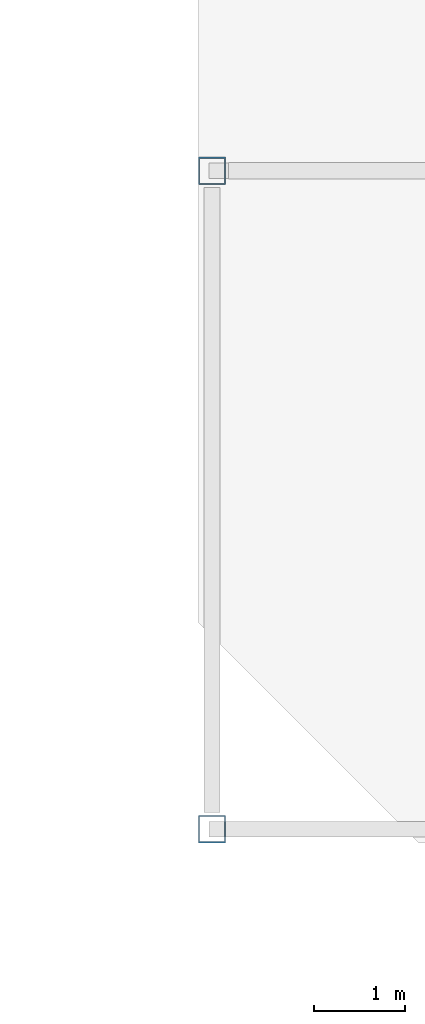
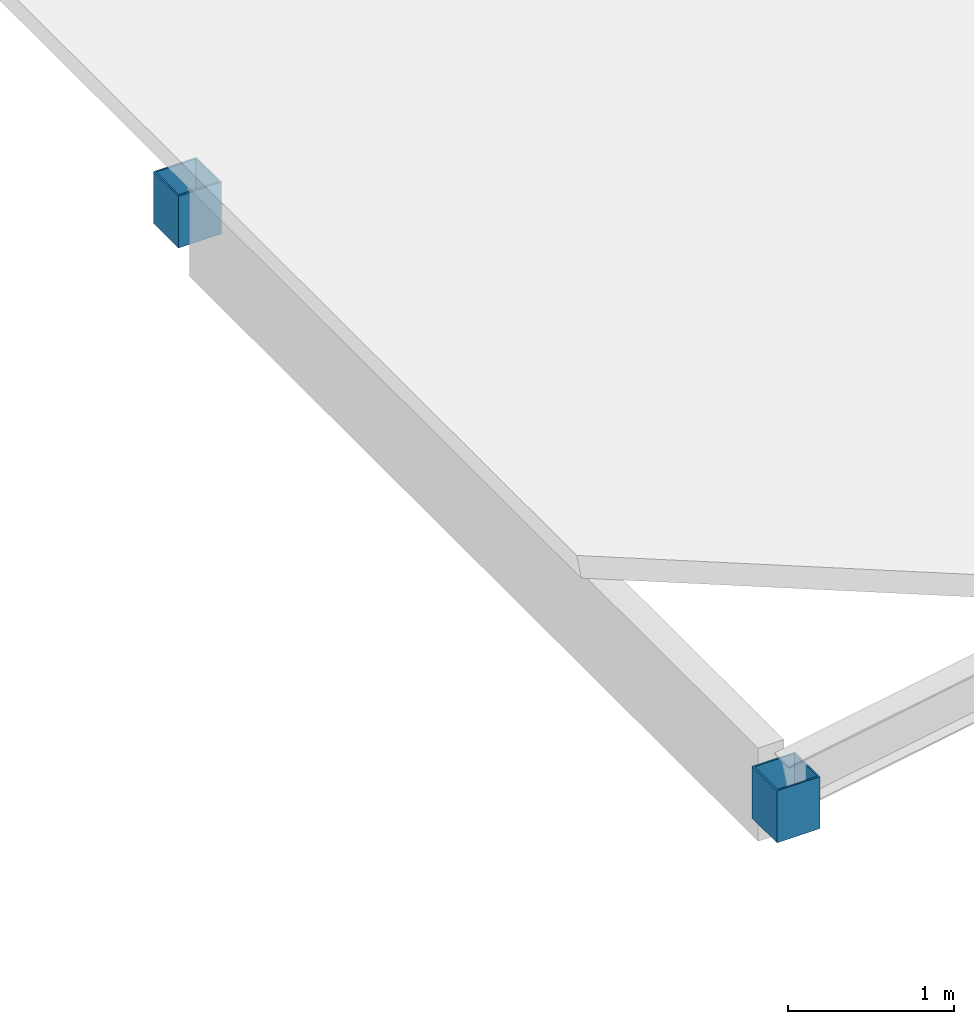
# One storey, part 6 of 19: 2 columns.
"""IFC4 building model written with IfcOpenShell, lengths in metres."""

import ifcopenshell
import ifcopenshell.guid

model = None  # the IFC model being written
_history = None  # IfcOwnerHistory: only IFC2X3 demands one
_inside = {}  # id of a spatial element -> (the spatial element, [elements in it])
_under = {}  # id of a project, library or spatial element -> (it, [spatial elements below it])
_declared = {}  # id of a project -> (the project, [libraries it declares])
_typed = {}  # id of a type object -> (the type object, [elements of that type])
_made_of = {}  # id of a material, layer set ... -> (it, [elements and type objects made of it])


def new_model(schema):
    """Start an empty IFC model of exactly this schema.

    Asked for "IFC4X3", IfcOpenShell would pick the latest addendum, in which some entities
    have other attributes; the version numbers below select the first issue.
    IFC2X3 requires an IfcOwnerHistory on every rooted entity: one is made here for all.
    """
    global model, _history
    if schema == "IFC4X3":
        model = ifcopenshell.file(schema_version=(4, 3, 0, 0))
    else:
        model = ifcopenshell.file(schema=schema)
    _inside.clear()
    _under.clear()
    _declared.clear()
    _typed.clear()
    _made_of.clear()
    _history = None
    if model.schema == "IFC2X3":
        org = make("IfcOrganization", Name="unknown")
        user = make(
            "IfcPersonAndOrganization",
            ThePerson=make("IfcPerson", FamilyName="unknown"),
            TheOrganization=org,
        )
        app = make(
            "IfcApplication",
            ApplicationDeveloper=org,
            Version="unknown",
            ApplicationFullName="unknown",
            ApplicationIdentifier="unknown",
        )
        _history = make(
            "IfcOwnerHistory",
            OwningUser=user,
            OwningApplication=app,
            ChangeAction="ADDED",
            CreationDate=0,
        )
    return model


def make(cls, **values):
    """One entity of the class cls with the attributes given. An attribute that is None is left unset."""
    return model.create_entity(
        cls, **{name: value for name, value in values.items() if value is not None}
    )


def rooted(cls, **values):
    """An entity with a GlobalId (a new one), such as an element, a storey or a relation."""
    return make(cls, GlobalId=ifcopenshell.guid.new(), OwnerHistory=_history, **values)


def si_unit(unit_type, name, prefix=None):
    """IfcSIUnit, for example si_unit("LENGTHUNIT", "METRE", prefix="MILLI")."""
    return make("IfcSIUnit", UnitType=unit_type, Prefix=prefix, Name=name)


def assignment(units):
    """IfcUnitAssignment: the units of a project."""
    return None if units is None else make("IfcUnitAssignment", Units=units)


def point(xyz):
    """IfcCartesianPoint."""
    return None if xyz is None else make("IfcCartesianPoint", Coordinates=xyz)


def direction(xyz):
    """IfcDirection."""
    return None if xyz is None else make("IfcDirection", DirectionRatios=xyz)


def frame(location, z_axis=None, x_axis=None):
    """IfcAxis2Placement3D, a coordinate frame: its origin and axes. An axis left out is left unset."""
    return make(
        "IfcAxis2Placement3D",
        Location=point(location),
        Axis=direction(z_axis),
        RefDirection=direction(x_axis),
    )


def frame_2d(location, x_axis=None):
    """IfcAxis2Placement2D, a coordinate frame in the plane: its origin and x axis."""
    return make(
        "IfcAxis2Placement2D", Location=point(location), RefDirection=direction(x_axis)
    )


def origin():
    """The frame at (0, 0, 0) with its axes left unset."""
    return frame((0.0, 0.0, 0.0))


def origin_2d():
    """The frame at (0, 0) in the plane with its x axis left unset."""
    return frame_2d((0.0, 0.0))


def place(relative_to, where):
    """IfcLocalPlacement: puts the frame where relative to a parent placement (None: the world)."""
    return make(
        "IfcLocalPlacement", PlacementRelTo=relative_to, RelativePlacement=where
    )


def context(
    kind, dimensions, precision=None, world=None, true_north=None, identifier=None
):
    """IfcGeometricRepresentationContext, for example the 3D "Model" context."""
    return make(
        "IfcGeometricRepresentationContext",
        ContextIdentifier=identifier,
        ContextType=kind,
        CoordinateSpaceDimension=dimensions,
        Precision=precision,
        WorldCoordinateSystem=world,
        TrueNorth=true_north,
    )


def subcontext(parent, identifier, kind, view, scale=None):
    """IfcGeometricRepresentationSubContext, for example "Body" below "Model"."""
    return make(
        "IfcGeometricRepresentationSubContext",
        ContextIdentifier=identifier,
        ContextType=kind,
        ParentContext=parent,
        TargetScale=scale,
        TargetView=view,
    )


def project(units=None, contexts=None):
    """IfcProject with its units and contexts."""
    return rooted(
        "IfcProject",
        Name="project",
        RepresentationContexts=contexts,
        UnitsInContext=assignment(units),
    )


def spatial(cls, under=None, at=None, **own):
    """A site, building, storey or space (cls), placed at a placement, below another one or the project."""
    s = rooted(cls, ObjectPlacement=at, **own)
    if under is not None:
        _under.setdefault(under.id(), (under, []))[1].append(s)
    return s


def profile(cls, at=None, kind="AREA", **sizes):
    """A parametric profile (cls). Its sizes go by their IFC names, for example OverallWidth=200.0."""
    return make(cls, ProfileType=kind, Position=at, **sizes)


def hollow_rectangle(**sizes):
    """IfcRectangleHollowProfileDef."""
    return profile("IfcRectangleHollowProfileDef", **sizes)


def extrude(swept, where, along, depth):
    """IfcExtrudedAreaSolid: the profile swept, set in the frame where, extruded along a direction by depth."""
    return make(
        "IfcExtrudedAreaSolid",
        SweptArea=swept,
        Position=where,
        ExtrudedDirection=direction(along),
        Depth=depth,
    )


def shape(context_of_items, identifier, shape_type, items):
    """IfcShapeRepresentation: the items that make up one representation, for example the "Body"."""
    return make(
        "IfcShapeRepresentation",
        ContextOfItems=context_of_items,
        RepresentationIdentifier=identifier,
        RepresentationType=shape_type,
        Items=items,
    )


def material(Name=None, Category=None):
    """IfcMaterial."""
    return make("IfcMaterial", Name=Name, Category=Category)


def material_profile(
    of_material, cross_section, Name=None, Category=None, Priority=None
):
    """IfcMaterialProfile: a cross section and its material."""
    return make(
        "IfcMaterialProfile",
        Name=Name,
        Material=of_material,
        Profile=cross_section,
        Priority=Priority,
        Category=Category,
    )


def profile_set(profiles, Name=None, composite=None):
    """IfcMaterialProfileSet."""
    return make(
        "IfcMaterialProfileSet",
        Name=Name,
        MaterialProfiles=profiles,
        CompositeProfile=composite,
    )


def made_of(thing, what):
    """Note that an element or type object is made of a material, layer set ...; save() writes the relation."""
    if what is not None:
        _made_of.setdefault(what.id(), (what, []))[1].append(thing)
    return thing


def type_object(cls, material=None, **own):
    """A type object (cls), such as IfcWallType, which elements share."""
    return made_of(rooted(cls, **own), material)


def element(
    cls,
    number,
    at=None,
    inside=None,
    cuts=None,
    type_object=None,
    material=None,
    context=None,
    identifier="Body",
    shape_type=None,
    held_by="IfcProductDefinitionShape",
    body=None,
    shapes=None,
    **own,
):
    """One element of the class cls, such as IfcWall. Its Tag is "e" and its number.

    at: its placement. inside: the storey or other place that contains it. cuts: it is an
    opening in that element (IfcRelVoidsElement). A single representation is given by context,
    identifier, shape_type and body (its items); several are given by shapes. held_by: the class
    of the entity that holds the representations. save() writes the other relations.
    """
    e = rooted(cls, Tag="e%d" % number, ObjectPlacement=at, **own)
    if body is not None:
        shapes = [shape(context, identifier, shape_type, body)]
    if shapes is not None:
        e.Representation = make(held_by, Representations=shapes)
    if inside is not None:
        _inside.setdefault(inside.id(), (inside, []))[1].append(e)
    if cuts is not None:
        rooted(
            "IfcRelVoidsElement", RelatingBuildingElement=cuts, RelatedOpeningElement=e
        )
    if type_object is not None:
        _typed.setdefault(type_object.id(), (type_object, []))[1].append(e)
    return made_of(e, material)


def aggregate(whole, parts):
    """IfcRelAggregates: a whole, such as a stair, and the parts it consists of."""
    return rooted("IfcRelAggregates", RelatingObject=whole, RelatedObjects=parts)


def save(model, path):
    """Write the relations noted so far, then the file.

    IfcRelAggregates (storeys below a building ...), IfcRelContainedInSpatialStructure (elements
    in a storey), IfcRelDefinesByType, IfcRelAssociatesMaterial and IfcRelDeclares: one each for
    every whole, place, type object, material and project.
    """
    for whole, parts in _under.values():
        aggregate(whole, parts)
    for where, things in _inside.values():
        rooted(
            "IfcRelContainedInSpatialStructure",
            RelatedElements=things,
            RelatingStructure=where,
        )
    for kind, things in _typed.values():
        rooted("IfcRelDefinesByType", RelatedObjects=things, RelatingType=kind)
    for what, things in _made_of.values():
        rooted("IfcRelAssociatesMaterial", RelatedObjects=things, RelatingMaterial=what)
    for by, libraries in _declared.values():
        rooted("IfcRelDeclares", RelatingContext=by, RelatedDefinitions=libraries)
    model.write(path)


model = new_model("IFC4")

# Units and contexts
model_context = context("Model", 3, precision=1e-05, world=origin(), true_north=direction((0.0, 1.0)))
body_context = subcontext(model_context, "Body", "Model", "MODEL_VIEW")
ifc_project = project(units=[si_unit("LENGTHUNIT", "METRE"), si_unit("AREAUNIT", "SQUARE_METRE"), si_unit("VOLUMEUNIT", "CUBIC_METRE"), si_unit("PLANEANGLEUNIT", "RADIAN"), si_unit("MASSUNIT", "GRAM", prefix="KILO")], contexts=[model_context])

# Site, building, storey
site_placement = place(None, origin())
site = spatial("IfcSite", under=ifc_project, at=site_placement, CompositionType="ELEMENT")
building_placement = place(site_placement, origin())
building = spatial("IfcBuilding", under=site, at=building_placement, Name="Candilejo Ridge Gondola Terminal", CompositionType="ELEMENT")
storey_placement = place(building_placement, frame((0.0, 0.0, 22.800048828125)))
storey = spatial("IfcBuildingStorey", under=building, at=storey_placement, Name="L05", CompositionType="ELEMENT", Elevation=22.800048828125)

# Columns
ifc_material = material(Name="Steel ASTM A500 Grade C", Category="steel")
ifc_material_profile = material_profile(ifc_material, hollow_rectangle(XDim=0.300048828125, YDim=0.300048828125, WallThickness=0.0126953125, at=origin_2d()))
ifc_profile_set = profile_set([ifc_material_profile], Name="Steel ASTM A500 Grade C")
column_type = type_object("IfcColumnType", Name="STR-COL-HSS300", PredefinedType="COLUMN", material=ifc_profile_set)
for number, where, z_axis, x_axis, name in (
    (1, (150.0, 84.64990234375, 0.0), (0.0, 0.0, 1.0), (1.0, 0.0, 0.0), "Roof ridge post RF-V5-MID2-01-W"),
    (2, (150.0, 91.85009765625, 0.0), (0.0, 0.0, 1.0), (1.0, 0.0, 0.0), "Roof ridge post RF-V5-MID2-02-W"),
):
    element("IfcColumn", number, at=place(storey_placement, frame(where, z_axis=z_axis, x_axis=x_axis)), inside=storey, type_object=column_type, Name=name, PredefinedType="COLUMN", context=body_context, shape_type="SweptSolid", body=[
        extrude(hollow_rectangle(XDim=0.300048828125, YDim=0.300048828125, WallThickness=0.0126953125, at=origin_2d()), origin(), (0.0, 0.0, 1.0), 0.381103515625),
    ])

save(model, "model.ifc")
